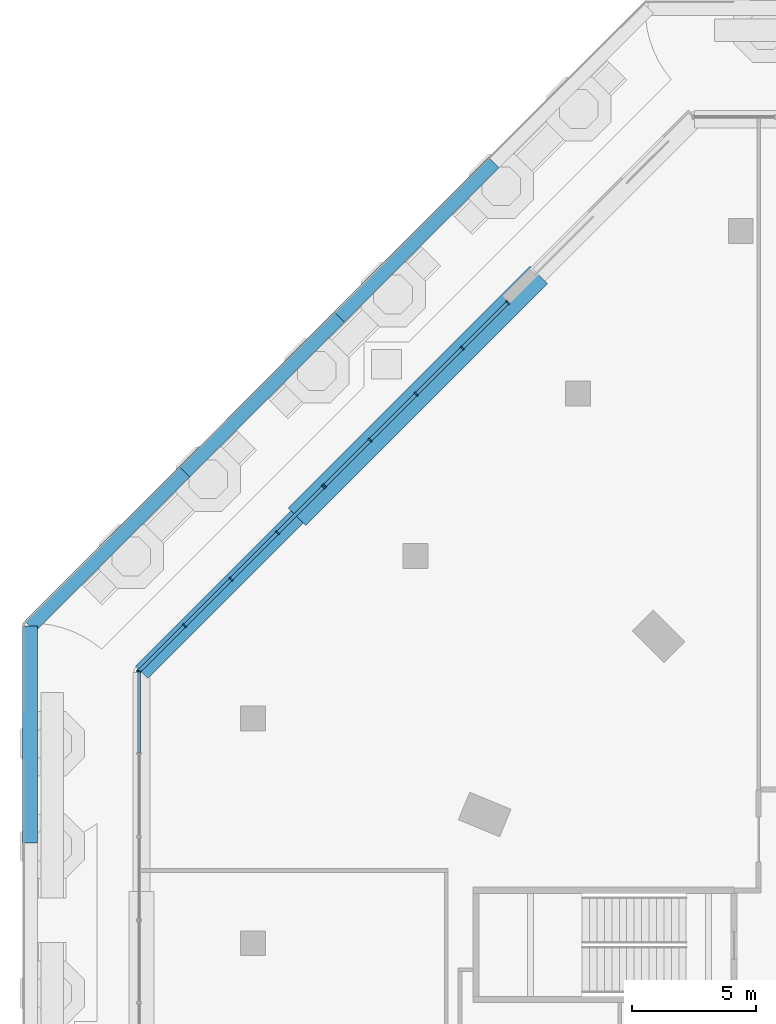
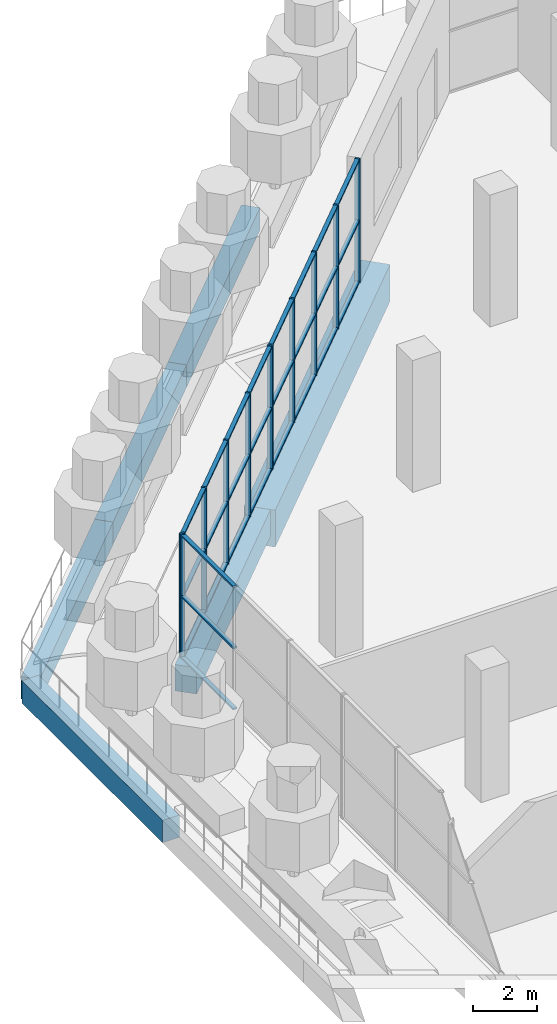
# One storey, part 12 of 32: 38 members, 6 beams, 3 elements without a shape of their own.
"""IFC4 building model written with IfcOpenShell, lengths in metres."""

from ifc_helpers import new_model, si_unit, direction, frame, origin, origin_2d, place, context, subcontext, project, spatial, rectangle, extrude, material, material_profile, profile_set, type_object, element, aggregate, save


model = new_model("IFC4")

# Units and contexts
model_context = context("Model", 3, precision=1e-05, world=origin(), true_north=direction((0.0, 1.0)))
body_context = subcontext(model_context, "Body", "Model", "MODEL_VIEW")
ifc_project = project(units=[si_unit("LENGTHUNIT", "METRE"), si_unit("AREAUNIT", "SQUARE_METRE"), si_unit("VOLUMEUNIT", "CUBIC_METRE"), si_unit("PLANEANGLEUNIT", "RADIAN"), si_unit("MASSUNIT", "GRAM", prefix="KILO")], contexts=[model_context])

# Site, building, storey
site_placement = place(None, origin())
site = spatial("IfcSite", under=ifc_project, at=site_placement, CompositionType="ELEMENT")
building_placement = place(site_placement, origin())
building = spatial("IfcBuilding", under=site, at=building_placement, Name="Msitu Wima Residences", CompositionType="ELEMENT")
storey_placement = place(building_placement, frame((0.0, 0.0, 6.0)))
storey = spatial("IfcBuildingStorey", under=building, at=storey_placement, Name="L01", CompositionType="ELEMENT", Elevation=6.0)

# Curtain wall, members
ifc_material_1 = material(Name="Anodised aluminium, bronze finish, clear low-emissivity double glazing", Category="aluminium")
curtain_wall_type = type_object("IfcCurtainWallType", Name="Curtain wall CW5 retail shopfront", PredefinedType="NOTDEFINED", material=ifc_material_1)
curtain_wall_1_placement = place(storey_placement, origin())
curtain_wall_1 = element("IfcCurtainWall", 1, at=curtain_wall_1_placement, inside=storey, type_object=curtain_wall_type, Name="Curtain wall CW5 L01 NW1", PredefinedType="NOTDEFINED")
ifc_material_2 = material(Name="Anodised aluminium, bronze finish", Category="aluminium")
ifc_material_profile_1 = material_profile(ifc_material_2, rectangle(XDim=0.179931640625, YDim=0.06494140625, at=origin_2d()), Name="Mullion 65x180")
ifc_profile_set_1 = profile_set([ifc_material_profile_1], Name="Anodised aluminium, bronze finish")
member_type_1 = type_object("IfcMemberType", Name="Mullion CW5 65x180", PredefinedType="MULLION", material=ifc_profile_set_1)
member_1_placement = place(storey_placement, frame((-27.521728515625, 34.91162109375, 0.0), z_axis=(0.0, 0.0, 1.0), x_axis=(0.707106781187, -0.707106781187, 0.0)))
member_1 = element("IfcMember", 2, at=member_1_placement, type_object=member_type_1, Name="CW5 mullion 1", PredefinedType="MULLION", context=body_context, shape_type="SweptSolid", body=[
    extrude(rectangle(XDim=0.179931640625, YDim=0.06494140625, at=origin_2d()), origin(), (0.0, 0.0, 1.0), 4.699951171875),
])
member_2_placement = place(storey_placement, frame((-29.357666015625, 33.07568359375, 0.0), z_axis=(0.0, 0.0, 1.0), x_axis=(0.707106781187, -0.707106781187, 0.0)))
member_2 = element("IfcMember", 3, at=member_2_placement, type_object=member_type_1, Name="CW5 mullion 2", PredefinedType="MULLION", context=body_context, shape_type="SweptSolid", body=[
    extrude(rectangle(XDim=0.179931640625, YDim=0.06494140625, at=origin_2d()), origin(), (0.0, 0.0, 1.0), 4.699951171875),
])
member_3_placement = place(storey_placement, frame((-31.216552734375, 31.216552734375, 0.0), z_axis=(0.0, 0.0, 1.0), x_axis=(0.707106781187, -0.707106781187, 0.0)))
member_3 = element("IfcMember", 4, at=member_3_placement, type_object=member_type_1, Name="CW5 mullion 3", PredefinedType="MULLION", context=body_context, shape_type="SweptSolid", body=[
    extrude(rectangle(XDim=0.179931640625, YDim=0.06494140625, at=origin_2d()), origin(), (0.0, 0.0, 1.0), 4.699951171875),
])
member_4_placement = place(storey_placement, frame((-33.07568359375, 29.357666015625, 0.0), z_axis=(0.0, 0.0, 1.0), x_axis=(0.707106781187, -0.707106781187, 0.0)))
member_4 = element("IfcMember", 5, at=member_4_placement, type_object=member_type_1, Name="CW5 mullion 4", PredefinedType="MULLION", context=body_context, shape_type="SweptSolid", body=[
    extrude(rectangle(XDim=0.179931640625, YDim=0.06494140625, at=origin_2d()), origin(), (0.0, 0.0, 1.0), 4.699951171875),
])
member_5_placement = place(storey_placement, frame((-34.91162109375, 27.521728515625, 0.0), z_axis=(0.0, 0.0, 1.0), x_axis=(0.707106781187, -0.707106781187, 0.0)))
member_5 = element("IfcMember", 6, at=member_5_placement, type_object=member_type_1, Name="CW5 mullion 5", PredefinedType="MULLION", context=body_context, shape_type="SweptSolid", body=[
    extrude(rectangle(XDim=0.179931640625, YDim=0.06494140625, at=origin_2d()), origin(), (0.0, 0.0, 1.0), 4.699951171875),
])

curtain_wall_2_placement = place(storey_placement, origin())
curtain_wall_2 = element("IfcCurtainWall", 7, at=curtain_wall_2_placement, inside=storey, type_object=curtain_wall_type, Name="Curtain wall CW5 L01 NW2", PredefinedType="NOTDEFINED")
member_6_placement = place(storey_placement, frame((-34.957763671875, 27.4755859375, 0.0), z_axis=(0.0, 0.0, 1.0), x_axis=(0.707106781187, -0.707106781187, 0.0)))
member_6 = element("IfcMember", 8, at=member_6_placement, type_object=member_type_1, Name="CW5 mullion 1", PredefinedType="MULLION", context=body_context, shape_type="SweptSolid", body=[
    extrude(rectangle(XDim=0.179931640625, YDim=0.06494140625, at=origin_2d()), origin(), (0.0, 0.0, 1.0), 4.699951171875),
])
member_7_placement = place(storey_placement, frame((-36.81005859375, 25.623046875, 0.0), z_axis=(0.0, 0.0, 1.0), x_axis=(0.707106781187, -0.707106781187, 0.0)))
member_7 = element("IfcMember", 9, at=member_7_placement, type_object=member_type_1, Name="CW5 mullion 2", PredefinedType="MULLION", context=body_context, shape_type="SweptSolid", body=[
    extrude(rectangle(XDim=0.179931640625, YDim=0.06494140625, at=origin_2d()), origin(), (0.0, 0.0, 1.0), 4.699951171875),
])
member_8_placement = place(storey_placement, frame((-38.685546875, 23.74755859375, 0.0), z_axis=(0.0, 0.0, 1.0), x_axis=(0.707106781187, -0.707106781187, 0.0)))
member_8 = element("IfcMember", 10, at=member_8_placement, type_object=member_type_1, Name="CW5 mullion 3", PredefinedType="MULLION", context=body_context, shape_type="SweptSolid", body=[
    extrude(rectangle(XDim=0.179931640625, YDim=0.06494140625, at=origin_2d()), origin(), (0.0, 0.0, 1.0), 4.699951171875),
])
member_9_placement = place(storey_placement, frame((-40.56103515625, 21.8720703125, 0.0), z_axis=(0.0, 0.0, 1.0), x_axis=(0.707106781187, -0.707106781187, 0.0)))
member_9 = element("IfcMember", 11, at=member_9_placement, type_object=member_type_1, Name="CW5 mullion 4", PredefinedType="MULLION", context=body_context, shape_type="SweptSolid", body=[
    extrude(rectangle(XDim=0.179931640625, YDim=0.06494140625, at=origin_2d()), origin(), (0.0, 0.0, 1.0), 4.699951171875),
])
member_10_placement = place(storey_placement, frame((-42.41357421875, 20.019775390625, 0.0), z_axis=(0.0, 0.0, 1.0), x_axis=(0.707106781187, -0.707106781187, 0.0)))
member_10 = element("IfcMember", 12, at=member_10_placement, type_object=member_type_1, Name="CW5 mullion 5", PredefinedType="MULLION", context=body_context, shape_type="SweptSolid", body=[
    extrude(rectangle(XDim=0.179931640625, YDim=0.06494140625, at=origin_2d()), origin(), (0.0, 0.0, 1.0), 4.699951171875),
])

# Curtain wall, member
curtain_wall_3_placement = place(storey_placement, origin())
curtain_wall_3 = element("IfcCurtainWall", 13, at=curtain_wall_3_placement, inside=storey, type_object=curtain_wall_type, Name="Curtain wall CW5 L01 W0", PredefinedType="NOTDEFINED")
member_11_placement = place(storey_placement, frame((-42.39990234375, 20.052490234375, 0.0), z_axis=(0.0, 0.0, 1.0), x_axis=(1.0, 0.0, 0.0)))
member_11 = element("IfcMember", 14, at=member_11_placement, type_object=member_type_1, Name="CW5 mullion 1", PredefinedType="MULLION", context=body_context, shape_type="SweptSolid", body=[
    extrude(rectangle(XDim=0.179931640625, YDim=0.06494140625, at=origin_2d()), origin(), (0.0, 0.0, 1.0), 4.699951171875),
])

# Beams
ifc_material_3 = material(Name="Concrete C60/75", Category="concrete")
ifc_material_profile_2 = material_profile(ifc_material_3, rectangle(XDim=1.0, YDim=1.39990234375, at=origin_2d()), Name="RC 1000x1400")
ifc_profile_set_2 = profile_set([ifc_material_profile_2], Name="Concrete C60/75")
beam_type_1 = type_object("IfcBeamType", Name="Terrace beam RC 1000x1400 Concrete C60/75", PredefinedType="BEAM", material=ifc_profile_set_2)
beam_1_placement = place(storey_placement, frame((-26.267822265625, 36.02392578125, -1.050048828125), z_axis=(-0.707106781187, -0.707106781187, 0.0), x_axis=(0.707106781187, -0.707106781187, 0.0)))
element("IfcBeam", 15, at=beam_1_placement, inside=storey, type_object=beam_type_1, Name="Terrace upstand-line beam L01 T24", PredefinedType="BEAM", context=body_context, shape_type="SweptSolid", body=[
    extrude(rectangle(XDim=1.0, YDim=1.39990234375, at=origin_2d()), origin(), (0.0, 0.0, 1.0), 13.797119140625),
])
ifc_material_profile_3 = material_profile(ifc_material_3, rectangle(XDim=0.60009765625, YDim=0.85009765625, at=origin_2d()), Name="RC 600x850")
ifc_profile_set_3 = profile_set([ifc_material_profile_3], Name="Concrete C60/75")
beam_type_2 = type_object("IfcBeamType", Name="Terrace beam RC 600x850 Concrete C60/75", PredefinedType="BEAM", material=ifc_profile_set_3)
for number, where, z_axis, x_axis, name in (
    (16, (-28.091796875, 40.56396484375, -0.77490234375), (-0.707106781187, -0.707106781187, 0.0), (0.707106781187, -0.707106781187, 0.0), "Terrace edge beam L00 C-NW1"),
    (17, (-34.327880859375, 34.327880859375, -0.77490234375), (-0.707106781187, -0.707106781187, 0.0), (0.707106781187, -0.707106781187, 0.0), "Terrace edge beam L00 C-NW2"),
    (18, (-40.56396484375, 28.091796875, -0.77490234375), (-0.70712062282, -0.707092939282, 0.0), (0.707092939282, -0.70712062282, 0.0), "Terrace edge beam L00 C-NW3"),
):
    element("IfcBeam", number, at=place(storey_placement, frame(where, z_axis=z_axis, x_axis=x_axis)), inside=storey, type_object=beam_type_2, Name=name, PredefinedType="BEAM", context=body_context, shape_type="SweptSolid", body=[
        extrude(rectangle(XDim=0.60009765625, YDim=0.85009765625, at=origin_2d()), origin(), (0.0, 0.0, 1.0), 8.819091796875),
    ])
beam_2_placement = place(storey_placement, frame((-46.800048828125, 21.85595703125, -0.77490234375), z_axis=(0.0, -1.0, 0.0), x_axis=(1.0, 0.0, 0.0)))
element("IfcBeam", 19, at=beam_2_placement, inside=storey, type_object=beam_type_2, Name="Terrace edge beam L00 C-W0", PredefinedType="BEAM", context=body_context, shape_type="SweptSolid", body=[
    extrude(rectangle(XDim=0.60009765625, YDim=0.85009765625, at=origin_2d()), origin(), (0.0, 0.0, 1.0), 8.742431640625),
])
ifc_material_profile_4 = material_profile(ifc_material_3, rectangle(XDim=0.699951171875, YDim=1.0, at=origin_2d()), Name="RC 700x1000")
ifc_profile_set_4 = profile_set([ifc_material_profile_4], Name="Concrete C60/75")
beam_type_3 = type_object("IfcBeamType", Name="Terrace beam RC 700x1000 Concrete C60/75", PredefinedType="BEAM", material=ifc_profile_set_4)
beam_3_placement = place(storey_placement, frame((-36.02392578125, 26.267822265625, -0.85009765625), z_axis=(-0.707120534516, -0.70709302759, 0.0), x_axis=(0.70709302759, -0.707120534516, 0.0)))
element("IfcBeam", 20, at=beam_3_placement, inside=storey, type_object=beam_type_3, Name="Terrace upstand-line beam L01 T25", PredefinedType="BEAM", context=body_context, shape_type="SweptSolid", body=[
    extrude(rectangle(XDim=0.699951171875, YDim=1.0, at=origin_2d()), origin(), (0.0, 0.0, 1.0), 8.87548828125),
])

# Member
ifc_material_profile_5 = material_profile(ifc_material_2, rectangle(XDim=0.139892578125, YDim=0.06494140625, at=origin_2d()), Name="Transom 65x140")
ifc_profile_set_5 = profile_set([ifc_material_profile_5], Name="Anodised aluminium, bronze finish")
member_type_2 = type_object("IfcMemberType", Name="Transom CW5 65x140", PredefinedType="USERDEFINED", material=ifc_profile_set_5)
member_12_placement = place(storey_placement, frame((-27.544677734375, 34.888671875, 0.032470703125), z_axis=(-0.707106781187, -0.707106781187, 0.0), x_axis=(0.707106781187, -0.707106781187, 0.0)))
member_12 = element("IfcMember", 21, at=member_12_placement, type_object=member_type_2, Name="CW5 transom 1.1", ObjectType="TRANSOM", PredefinedType="USERDEFINED", context=body_context, shape_type="SweptSolid", body=[
    extrude(rectangle(XDim=0.139892578125, YDim=0.06494140625, at=origin_2d()), origin(), (0.0, 0.0, 1.0), 2.531494140625),
])

member_13_placement = place(storey_placement, frame((-27.544677734375, 34.888671875, 2.35009765625), z_axis=(-0.707106781187, -0.707106781187, 0.0), x_axis=(0.707106781187, -0.707106781187, 0.0)))
member_13 = element("IfcMember", 22, at=member_13_placement, type_object=member_type_2, Name="CW5 transom 1.2", ObjectType="TRANSOM", PredefinedType="USERDEFINED", context=body_context, shape_type="SweptSolid", body=[
    extrude(rectangle(XDim=0.139892578125, YDim=0.06494140625, at=origin_2d()), origin(), (0.0, 0.0, 1.0), 2.531494140625),
])

member_14_placement = place(storey_placement, frame((-27.544677734375, 34.888671875, 4.66748046875), z_axis=(-0.707106781187, -0.707106781187, 0.0), x_axis=(0.707106781187, -0.707106781187, 0.0)))
member_14 = element("IfcMember", 23, at=member_14_placement, type_object=member_type_2, Name="CW5 transom 1.3", ObjectType="TRANSOM", PredefinedType="USERDEFINED", context=body_context, shape_type="SweptSolid", body=[
    extrude(rectangle(XDim=0.139892578125, YDim=0.06494140625, at=origin_2d()), origin(), (0.0, 0.0, 1.0), 2.531494140625),
])

member_15_placement = place(storey_placement, frame((-29.380615234375, 33.052734375, 0.032470703125), z_axis=(-0.707106781187, -0.707106781187, 0.0), x_axis=(0.707106781187, -0.707106781187, 0.0)))
member_15 = element("IfcMember", 24, at=member_15_placement, type_object=member_type_2, Name="CW5 transom 2.1", ObjectType="TRANSOM", PredefinedType="USERDEFINED", context=body_context, shape_type="SweptSolid", body=[
    extrude(rectangle(XDim=0.139892578125, YDim=0.06494140625, at=origin_2d()), origin(), (0.0, 0.0, 1.0), 2.56396484375),
])

member_16_placement = place(storey_placement, frame((-29.380615234375, 33.052734375, 2.35009765625), z_axis=(-0.707106781187, -0.707106781187, 0.0), x_axis=(0.707106781187, -0.707106781187, 0.0)))
member_16 = element("IfcMember", 25, at=member_16_placement, type_object=member_type_2, Name="CW5 transom 2.2", ObjectType="TRANSOM", PredefinedType="USERDEFINED", context=body_context, shape_type="SweptSolid", body=[
    extrude(rectangle(XDim=0.139892578125, YDim=0.06494140625, at=origin_2d()), origin(), (0.0, 0.0, 1.0), 2.56396484375),
])

member_17_placement = place(storey_placement, frame((-29.380615234375, 33.052734375, 4.66748046875), z_axis=(-0.707106781187, -0.707106781187, 0.0), x_axis=(0.707106781187, -0.707106781187, 0.0)))
member_17 = element("IfcMember", 26, at=member_17_placement, type_object=member_type_2, Name="CW5 transom 2.3", ObjectType="TRANSOM", PredefinedType="USERDEFINED", context=body_context, shape_type="SweptSolid", body=[
    extrude(rectangle(XDim=0.139892578125, YDim=0.06494140625, at=origin_2d()), origin(), (0.0, 0.0, 1.0), 2.56396484375),
])

member_18_placement = place(storey_placement, frame((-31.23974609375, 31.193603515625, 0.032470703125), z_axis=(-0.707106781187, -0.707106781187, 0.0), x_axis=(0.707106781187, -0.707106781187, 0.0)))
member_18 = element("IfcMember", 27, at=member_18_placement, type_object=member_type_2, Name="CW5 transom 3.1", ObjectType="TRANSOM", PredefinedType="USERDEFINED", context=body_context, shape_type="SweptSolid", body=[
    extrude(rectangle(XDim=0.139892578125, YDim=0.06494140625, at=origin_2d()), origin(), (0.0, 0.0, 1.0), 2.56396484375),
])

member_19_placement = place(storey_placement, frame((-31.23974609375, 31.193603515625, 2.35009765625), z_axis=(-0.707106781187, -0.707106781187, 0.0), x_axis=(0.707106781187, -0.707106781187, 0.0)))
member_19 = element("IfcMember", 28, at=member_19_placement, type_object=member_type_2, Name="CW5 transom 3.2", ObjectType="TRANSOM", PredefinedType="USERDEFINED", context=body_context, shape_type="SweptSolid", body=[
    extrude(rectangle(XDim=0.139892578125, YDim=0.06494140625, at=origin_2d()), origin(), (0.0, 0.0, 1.0), 2.56396484375),
])

member_20_placement = place(storey_placement, frame((-31.23974609375, 31.193603515625, 4.66748046875), z_axis=(-0.707106781187, -0.707106781187, 0.0), x_axis=(0.707106781187, -0.707106781187, 0.0)))
member_20 = element("IfcMember", 29, at=member_20_placement, type_object=member_type_2, Name="CW5 transom 3.3", ObjectType="TRANSOM", PredefinedType="USERDEFINED", context=body_context, shape_type="SweptSolid", body=[
    extrude(rectangle(XDim=0.139892578125, YDim=0.06494140625, at=origin_2d()), origin(), (0.0, 0.0, 1.0), 2.56396484375),
])

member_21_placement = place(storey_placement, frame((-33.0986328125, 29.334716796875, 0.032470703125), z_axis=(-0.707106781187, -0.707106781187, 0.0), x_axis=(0.707106781187, -0.707106781187, 0.0)))
member_21 = element("IfcMember", 30, at=member_21_placement, type_object=member_type_2, Name="CW5 transom 4.1", ObjectType="TRANSOM", PredefinedType="USERDEFINED", context=body_context, shape_type="SweptSolid", body=[
    extrude(rectangle(XDim=0.139892578125, YDim=0.06494140625, at=origin_2d()), origin(), (0.0, 0.0, 1.0), 2.531494140625),
])

member_22_placement = place(storey_placement, frame((-33.0986328125, 29.334716796875, 2.35009765625), z_axis=(-0.707106781187, -0.707106781187, 0.0), x_axis=(0.707106781187, -0.707106781187, 0.0)))
member_22 = element("IfcMember", 31, at=member_22_placement, type_object=member_type_2, Name="CW5 transom 4.2", ObjectType="TRANSOM", PredefinedType="USERDEFINED", context=body_context, shape_type="SweptSolid", body=[
    extrude(rectangle(XDim=0.139892578125, YDim=0.06494140625, at=origin_2d()), origin(), (0.0, 0.0, 1.0), 2.531494140625),
])

member_23_placement = place(storey_placement, frame((-33.0986328125, 29.334716796875, 4.66748046875), z_axis=(-0.707106781187, -0.707106781187, 0.0), x_axis=(0.707106781187, -0.707106781187, 0.0)))
member_23 = element("IfcMember", 32, at=member_23_placement, type_object=member_type_2, Name="CW5 transom 4.3", ObjectType="TRANSOM", PredefinedType="USERDEFINED", context=body_context, shape_type="SweptSolid", body=[
    extrude(rectangle(XDim=0.139892578125, YDim=0.06494140625, at=origin_2d()), origin(), (0.0, 0.0, 1.0), 2.531494140625),
])

aggregate(curtain_wall_1, [member_1, member_2, member_3, member_4, member_5, member_12, member_13, member_14, member_15, member_16, member_17, member_18, member_19, member_20, member_21, member_22, member_23])

member_24_placement = place(storey_placement, frame((-34.980712890625, 27.45263671875, 0.032470703125), z_axis=(-0.707106781187, -0.707106781187, 0.0), x_axis=(0.707106781187, -0.707106781187, 0.0)))
member_24 = element("IfcMember", 33, at=member_24_placement, type_object=member_type_2, Name="CW5 transom 1.1", ObjectType="TRANSOM", PredefinedType="USERDEFINED", context=body_context, shape_type="SweptSolid", body=[
    extrude(rectangle(XDim=0.139892578125, YDim=0.06494140625, at=origin_2d()), origin(), (0.0, 0.0, 1.0), 2.5546875),
])

member_25_placement = place(storey_placement, frame((-34.980712890625, 27.45263671875, 2.35009765625), z_axis=(-0.707106781187, -0.707106781187, 0.0), x_axis=(0.707106781187, -0.707106781187, 0.0)))
member_25 = element("IfcMember", 34, at=member_25_placement, type_object=member_type_2, Name="CW5 transom 1.2", ObjectType="TRANSOM", PredefinedType="USERDEFINED", context=body_context, shape_type="SweptSolid", body=[
    extrude(rectangle(XDim=0.139892578125, YDim=0.06494140625, at=origin_2d()), origin(), (0.0, 0.0, 1.0), 2.5546875),
])

member_26_placement = place(storey_placement, frame((-34.980712890625, 27.45263671875, 4.66748046875), z_axis=(-0.707106781187, -0.707106781187, 0.0), x_axis=(0.707106781187, -0.707106781187, 0.0)))
member_26 = element("IfcMember", 35, at=member_26_placement, type_object=member_type_2, Name="CW5 transom 1.3", ObjectType="TRANSOM", PredefinedType="USERDEFINED", context=body_context, shape_type="SweptSolid", body=[
    extrude(rectangle(XDim=0.139892578125, YDim=0.06494140625, at=origin_2d()), origin(), (0.0, 0.0, 1.0), 2.5546875),
])

member_27_placement = place(storey_placement, frame((-36.833251953125, 25.60009765625, 0.032470703125), z_axis=(-0.707106781187, -0.707106781187, 0.0), x_axis=(0.707106781187, -0.707106781187, 0.0)))
member_27 = element("IfcMember", 36, at=member_27_placement, type_object=member_type_2, Name="CW5 transom 2.1", ObjectType="TRANSOM", PredefinedType="USERDEFINED", context=body_context, shape_type="SweptSolid", body=[
    extrude(rectangle(XDim=0.139892578125, YDim=0.06494140625, at=origin_2d()), origin(), (0.0, 0.0, 1.0), 2.587158203125),
])

member_28_placement = place(storey_placement, frame((-36.833251953125, 25.60009765625, 2.35009765625), z_axis=(-0.707106781187, -0.707106781187, 0.0), x_axis=(0.707106781187, -0.707106781187, 0.0)))
member_28 = element("IfcMember", 37, at=member_28_placement, type_object=member_type_2, Name="CW5 transom 2.2", ObjectType="TRANSOM", PredefinedType="USERDEFINED", context=body_context, shape_type="SweptSolid", body=[
    extrude(rectangle(XDim=0.139892578125, YDim=0.06494140625, at=origin_2d()), origin(), (0.0, 0.0, 1.0), 2.587158203125),
])

member_29_placement = place(storey_placement, frame((-36.833251953125, 25.60009765625, 4.66748046875), z_axis=(-0.707106781187, -0.707106781187, 0.0), x_axis=(0.707106781187, -0.707106781187, 0.0)))
member_29 = element("IfcMember", 38, at=member_29_placement, type_object=member_type_2, Name="CW5 transom 2.3", ObjectType="TRANSOM", PredefinedType="USERDEFINED", context=body_context, shape_type="SweptSolid", body=[
    extrude(rectangle(XDim=0.139892578125, YDim=0.06494140625, at=origin_2d()), origin(), (0.0, 0.0, 1.0), 2.587158203125),
])

member_30_placement = place(storey_placement, frame((-38.708740234375, 23.724609375, 0.032470703125), z_axis=(-0.707106781187, -0.707106781187, 0.0), x_axis=(0.707106781187, -0.707106781187, 0.0)))
member_30 = element("IfcMember", 39, at=member_30_placement, type_object=member_type_2, Name="CW5 transom 3.1", ObjectType="TRANSOM", PredefinedType="USERDEFINED", context=body_context, shape_type="SweptSolid", body=[
    extrude(rectangle(XDim=0.139892578125, YDim=0.06494140625, at=origin_2d()), origin(), (0.0, 0.0, 1.0), 2.587158203125),
])

member_31_placement = place(storey_placement, frame((-38.708740234375, 23.724609375, 2.35009765625), z_axis=(-0.707106781187, -0.707106781187, 0.0), x_axis=(0.707106781187, -0.707106781187, 0.0)))
member_31 = element("IfcMember", 40, at=member_31_placement, type_object=member_type_2, Name="CW5 transom 3.2", ObjectType="TRANSOM", PredefinedType="USERDEFINED", context=body_context, shape_type="SweptSolid", body=[
    extrude(rectangle(XDim=0.139892578125, YDim=0.06494140625, at=origin_2d()), origin(), (0.0, 0.0, 1.0), 2.587158203125),
])

member_32_placement = place(storey_placement, frame((-38.708740234375, 23.724609375, 4.66748046875), z_axis=(-0.707106781187, -0.707106781187, 0.0), x_axis=(0.707106781187, -0.707106781187, 0.0)))
member_32 = element("IfcMember", 41, at=member_32_placement, type_object=member_type_2, Name="CW5 transom 3.3", ObjectType="TRANSOM", PredefinedType="USERDEFINED", context=body_context, shape_type="SweptSolid", body=[
    extrude(rectangle(XDim=0.139892578125, YDim=0.06494140625, at=origin_2d()), origin(), (0.0, 0.0, 1.0), 2.587158203125),
])

member_33_placement = place(storey_placement, frame((-40.584228515625, 21.84912109375, 0.032470703125), z_axis=(-0.707106781187, -0.707106781187, 0.0), x_axis=(0.707106781187, -0.707106781187, 0.0)))
member_33 = element("IfcMember", 42, at=member_33_placement, type_object=member_type_2, Name="CW5 transom 4.1", ObjectType="TRANSOM", PredefinedType="USERDEFINED", context=body_context, shape_type="SweptSolid", body=[
    extrude(rectangle(XDim=0.139892578125, YDim=0.06494140625, at=origin_2d()), origin(), (0.0, 0.0, 1.0), 2.5546875),
])

member_34_placement = place(storey_placement, frame((-40.584228515625, 21.84912109375, 2.35009765625), z_axis=(-0.707106781187, -0.707106781187, 0.0), x_axis=(0.707106781187, -0.707106781187, 0.0)))
member_34 = element("IfcMember", 43, at=member_34_placement, type_object=member_type_2, Name="CW5 transom 4.2", ObjectType="TRANSOM", PredefinedType="USERDEFINED", context=body_context, shape_type="SweptSolid", body=[
    extrude(rectangle(XDim=0.139892578125, YDim=0.06494140625, at=origin_2d()), origin(), (0.0, 0.0, 1.0), 2.5546875),
])

member_35_placement = place(storey_placement, frame((-40.584228515625, 21.84912109375, 4.66748046875), z_axis=(-0.707106781187, -0.707106781187, 0.0), x_axis=(0.707106781187, -0.707106781187, 0.0)))
member_35 = element("IfcMember", 44, at=member_35_placement, type_object=member_type_2, Name="CW5 transom 4.3", ObjectType="TRANSOM", PredefinedType="USERDEFINED", context=body_context, shape_type="SweptSolid", body=[
    extrude(rectangle(XDim=0.139892578125, YDim=0.06494140625, at=origin_2d()), origin(), (0.0, 0.0, 1.0), 2.5546875),
])

aggregate(curtain_wall_2, [member_6, member_7, member_8, member_9, member_10, member_24, member_25, member_26, member_27, member_28, member_29, member_30, member_31, member_32, member_33, member_34, member_35])

member_36_placement = place(storey_placement, frame((-42.39990234375, 20.02001953125, 0.032470703125), z_axis=(0.0, -1.0, 0.0), x_axis=(1.0, 0.0, 0.0)))
member_36 = element("IfcMember", 45, at=member_36_placement, type_object=member_type_2, Name="CW5 transom 1.1", ObjectType="TRANSOM", PredefinedType="USERDEFINED", context=body_context, shape_type="SweptSolid", body=[
    extrude(rectangle(XDim=0.139892578125, YDim=0.06494140625, at=origin_2d()), origin(), (0.0, 0.0, 1.0), 3.265380859375),
])

member_37_placement = place(storey_placement, frame((-42.39990234375, 20.02001953125, 2.35009765625), z_axis=(0.0, -1.0, 0.0), x_axis=(1.0, 0.0, 0.0)))
member_37 = element("IfcMember", 46, at=member_37_placement, type_object=member_type_2, Name="CW5 transom 1.2", ObjectType="TRANSOM", PredefinedType="USERDEFINED", context=body_context, shape_type="SweptSolid", body=[
    extrude(rectangle(XDim=0.139892578125, YDim=0.06494140625, at=origin_2d()), origin(), (0.0, 0.0, 1.0), 3.265380859375),
])

member_38_placement = place(storey_placement, frame((-42.39990234375, 20.02001953125, 4.66748046875), z_axis=(0.0, -1.0, 0.0), x_axis=(1.0, 0.0, 0.0)))
member_38 = element("IfcMember", 47, at=member_38_placement, type_object=member_type_2, Name="CW5 transom 1.3", ObjectType="TRANSOM", PredefinedType="USERDEFINED", context=body_context, shape_type="SweptSolid", body=[
    extrude(rectangle(XDim=0.139892578125, YDim=0.06494140625, at=origin_2d()), origin(), (0.0, 0.0, 1.0), 3.265380859375),
])

aggregate(curtain_wall_3, [member_11, member_36, member_37, member_38])

save(model, "model.ifc")
